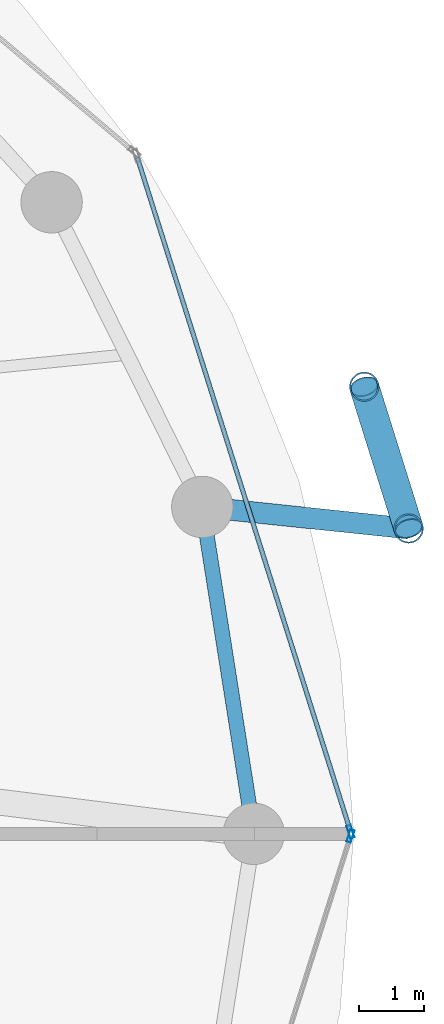
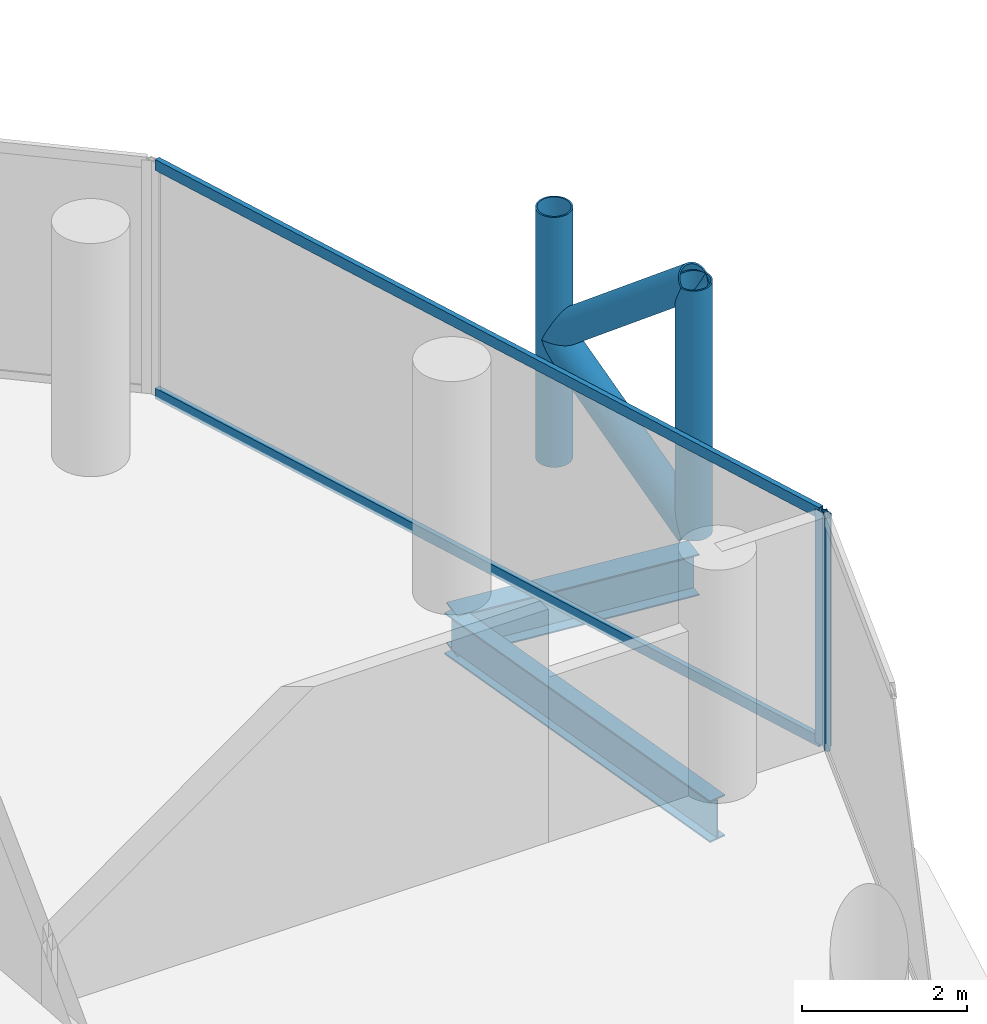
# One storey, part 12 of 26: 8 members, 2 beams, 2 elements without a shape of their own.
"""IFC4 building model written with IfcOpenShell, lengths in metres."""

from ifc_helpers import new_model, si_unit, direction, frame, origin, origin_2d, place, context, subcontext, project, spatial, hollow_rectangle, hollow_circle, i_section, extrude, material, layer, layer_set, material_profile, profile_set, type_object, element, aggregate, save


model = new_model("IFC4")

# Units and contexts
model_context = context("Model", 3, precision=1e-05, world=origin(), true_north=direction((0.0, 1.0)))
body_context = subcontext(model_context, "Body", "Model", "MODEL_VIEW")
ifc_project = project(units=[si_unit("LENGTHUNIT", "METRE"), si_unit("AREAUNIT", "SQUARE_METRE"), si_unit("VOLUMEUNIT", "CUBIC_METRE"), si_unit("PLANEANGLEUNIT", "RADIAN"), si_unit("MASSUNIT", "GRAM", prefix="KILO")], contexts=[model_context])

# Site, building, storey
site_placement = place(None, origin())
site = spatial("IfcSite", under=ifc_project, at=site_placement, CompositionType="ELEMENT")
building_placement = place(site_placement, origin())
building = spatial("IfcBuilding", under=site, at=building_placement, Name="Nuhasar Tower", CompositionType="ELEMENT")
storey_placement = place(building_placement, frame((0.0, 0.0, 151.550048828125)))
storey = spatial("IfcBuildingStorey", under=building, at=storey_placement, Name="L36", CompositionType="ELEMENT", Elevation=151.550048828125)

# Beams
ifc_material_1 = material(Name="Steel S355", Category="steel")
ifc_material_profile_1 = material_profile(ifc_material_1, i_section(OverallWidth=0.22998046875, OverallDepth=0.616943359375, WebThickness=0.01318359375, FlangeThickness=0.022216796875, at=origin_2d()), Name="W24X94")
ifc_profile_set_1 = profile_set([ifc_material_profile_1], Name="Steel S355")
beam_type_1 = type_object("IfcBeamType", Name="BM-RING-W24X94", PredefinedType="SPANDREL", material=ifc_profile_set_1)
beam_1_placement = place(storey_placement, frame((62.35009765625, 26.800048828125, -0.55810546875), z_axis=(-0.155426543608, 0.987847452566, 0.0), x_axis=(-0.987847452566, -0.155426543608, 0.0)))
element("IfcBeam", 1, at=beam_1_placement, inside=storey, type_object=beam_type_1, Name="L36 Perimeter Ring Spandrel 01", PredefinedType="SPANDREL", context=body_context, shape_type="SweptSolid", body=[
    extrude(i_section(OverallWidth=0.22998046875, OverallDepth=0.616943359375, WebThickness=0.01318359375, FlangeThickness=0.022216796875, at=origin_2d()), origin(), (0.0, 0.0, 1.0), 5.122314453125),
])
ifc_material_profile_2 = material_profile(ifc_material_1, i_section(OverallWidth=0.323974609375, OverallDepth=0.611083984375, WebThickness=0.0126953125, FlangeThickness=0.01904296875, at=origin_2d()), Name="W24X104")
ifc_profile_set_2 = profile_set([ifc_material_profile_2], Name="Steel S355")
beam_type_2 = type_object("IfcBeamType", Name="BM-TIE-W24X104", PredefinedType="BEAM", material=ifc_profile_set_2)
beam_2_placement = place(storey_placement, frame((61.553955078125, 31.860107421875, -0.554931640625), z_axis=(0.994569828715, -0.104071397654, 0.0), x_axis=(0.104071397654, 0.994569828715, 0.0)))
element("IfcBeam", 2, at=beam_2_placement, inside=storey, type_object=beam_type_2, Name="L36 Exoskeleton Node Tie Beam 01", PredefinedType="BEAM", context=body_context, shape_type="SweptSolid", body=[
    extrude(i_section(OverallWidth=0.323974609375, OverallDepth=0.611083984375, WebThickness=0.0126953125, FlangeThickness=0.01904296875, at=origin_2d()), origin(), (0.0, 0.0, 1.0), 3.21142578125),
])

# Curtain wall, member
ifc_material_2 = material(Name="Aluminium 6063-T6", Category="aluminium")
ifc_layer = layer(ifc_material_2, 0.199951171875)
ifc_layer_set = layer_set([ifc_layer], Name="Aluminium 6063-T6")
curtain_wall_type = type_object("IfcCurtainWallType", Name="CW-Z2-HTL", PredefinedType="NOTDEFINED", material=ifc_layer_set)
curtain_wall_1_placement = place(storey_placement, origin())
curtain_wall_1 = element("IfcCurtainWall", 3, at=curtain_wall_1_placement, inside=storey, type_object=curtain_wall_type, Name="L36 Unitised Curtain Wall 01", PredefinedType="NOTDEFINED")
ifc_material_profile_3 = material_profile(ifc_material_2, hollow_rectangle(XDim=0.070068359375, YDim=0.199951171875, WallThickness=0.0048828125, at=origin_2d()), Name="CWM-3")
ifc_profile_set_3 = profile_set([ifc_material_profile_3], Name="Aluminium 6063-T6")
member_type_1 = type_object("IfcMemberType", Name="CW-MUL-S3", PredefinedType="MULLION", material=ifc_profile_set_3)
member_1_placement = place(storey_placement, frame((63.849365234375, 26.833251953125, 0.0), z_axis=(0.0, 0.0, 1.0), x_axis=(-0.953433389233, -0.301603667577, 0.0)))
member_1 = element("IfcMember", 4, at=member_1_placement, type_object=member_type_1, Name="CW-Z2 mullion 1", PredefinedType="MULLION", context=body_context, shape_type="SweptSolid", body=[
    extrude(hollow_rectangle(XDim=0.070068359375, YDim=0.199951171875, WallThickness=0.0048828125, at=origin_2d()), origin(), (0.0, 0.0, 1.0), 3.449951171875),
])

curtain_wall_2_placement = place(storey_placement, origin())
curtain_wall_2 = element("IfcCurtainWall", 5, at=curtain_wall_2_placement, inside=storey, type_object=curtain_wall_type, Name="L36 Unitised Curtain Wall 12", PredefinedType="NOTDEFINED")
member_2_placement = place(storey_placement, frame((63.849365234375, 26.7666015625, 0.0), z_axis=(0.0, 0.0, 1.0), x_axis=(-0.953433389233, 0.301603667577, 0.0)))
member_2 = element("IfcMember", 6, at=member_2_placement, type_object=member_type_1, Name="CW-Z2 mullion 2", PredefinedType="MULLION", context=body_context, shape_type="SweptSolid", body=[
    extrude(hollow_rectangle(XDim=0.070068359375, YDim=0.199951171875, WallThickness=0.0048828125, at=origin_2d()), origin(), (0.0, 0.0, 1.0), 3.449951171875),
])
aggregate(curtain_wall_2, [member_2])

# Member
ifc_material_profile_4 = material_profile(ifc_material_2, hollow_rectangle(XDim=0.070068359375, YDim=0.159912109375, WallThickness=0.00439453125, at=origin_2d()), Name="CWT-3")
ifc_profile_set_4 = profile_set([ifc_material_profile_4], Name="Aluminium 6063-T6")
member_type_2 = type_object("IfcMemberType", Name="CW-TRN-S3", PredefinedType="USERDEFINED", material=ifc_profile_set_4)
member_3_placement = place(storey_placement, frame((63.8388671875, 26.86669921875, 0.034912109375), z_axis=(-0.301608163352, 0.953431967053, 0.0), x_axis=(-0.953431967053, -0.301608163352, 0.0)))
member_3 = element("IfcMember", 7, at=member_3_placement, type_object=member_type_2, Name="CW-Z2 transom 1.1", ObjectType="TRANSOM", PredefinedType="USERDEFINED", context=body_context, shape_type="SweptSolid", body=[
    extrude(hollow_rectangle(XDim=0.070068359375, YDim=0.159912109375, WallThickness=0.00439453125, at=origin_2d()), origin(), (0.0, 0.0, 1.0), 10.904296875),
])

member_4_placement = place(storey_placement, frame((63.8388671875, 26.86669921875, 3.4150390625), z_axis=(-0.301608163352, 0.953431967053, 0.0), x_axis=(-0.953431967053, -0.301608163352, 0.0)))
member_4 = element("IfcMember", 8, at=member_4_placement, type_object=member_type_2, Name="CW-Z2 transom 1.2", ObjectType="TRANSOM", PredefinedType="USERDEFINED", context=body_context, shape_type="SweptSolid", body=[
    extrude(hollow_rectangle(XDim=0.070068359375, YDim=0.159912109375, WallThickness=0.00439453125, at=origin_2d()), origin(), (0.0, 0.0, 1.0), 10.904296875),
])

aggregate(curtain_wall_1, [member_1, member_3, member_4])

# Members
ifc_material_3 = material(Name="Steel S460", Category="steel")
ifc_material_profile_5 = material_profile(ifc_material_3, hollow_circle(Radius=0.228515625, WallThickness=0.022216796875, at=origin_2d()), Name="HSS457X22.2")
ifc_profile_set_5 = profile_set([ifc_material_profile_5], Name="Steel S460")
member_type_3 = type_object("IfcMemberType", Name="EXO-BRONZE-457", PredefinedType="BRACE", material=ifc_profile_set_5)
for number, where, z_axis, x_axis, name in (
    (9, (64.748046875, 31.52587890625, 0.0), (0.0, 0.0, 1.0), (1.0, 0.0, 0.0), "L36 Exoskeleton Chord Column EC-01A"),
    (10, (64.06005859375, 33.720947265625, 0.0), (0.0, 0.0, 1.0), (1.0, 0.0, 0.0), "L36 Exoskeleton Chord Column EC-01B"),
):
    element("IfcMember", number, at=place(storey_placement, frame(where, z_axis=z_axis, x_axis=x_axis)), inside=storey, type_object=member_type_3, Name=name, PredefinedType="BRACE", context=body_context, shape_type="SweptSolid", body=[
        extrude(hollow_circle(Radius=0.228515625, WallThickness=0.022216796875, at=origin_2d()), origin(), (0.0, 0.0, 1.0), 3.699951171875),
    ])
member_5_placement = place(storey_placement, frame((64.748046875, 31.52587890625, 0.0), z_axis=(-0.233067628236, 0.74361641074, 0.626669062861), x_axis=(-0.954228474306, -0.29907861646, 0.0)))
element("IfcMember", 11, at=member_5_placement, inside=storey, type_object=member_type_3, Name="L36 Bronze Diagrid Brace W1-01", PredefinedType="BRACE", context=body_context, shape_type="SweptSolid", body=[
    extrude(hollow_circle(Radius=0.228515625, WallThickness=0.022216796875, at=origin_2d()), origin(), (0.0, 0.0, 1.0), 2.951904296875),
])
member_6_placement = place(storey_placement, frame((64.06005859375, 33.720947265625, 1.849853515625), z_axis=(0.233055548538, -0.743577869731, 0.626719285599), x_axis=(0.954228474306, 0.29907861646, 0.0)))
element("IfcMember", 12, at=member_6_placement, inside=storey, type_object=member_type_3, Name="L36 Bronze Diagrid Brace W2-01", PredefinedType="BRACE", context=body_context, shape_type="SweptSolid", body=[
    extrude(hollow_circle(Radius=0.228515625, WallThickness=0.022216796875, at=origin_2d()), origin(), (0.0, 0.0, 1.0), 2.9521484375),
])

save(model, "model.ifc")
